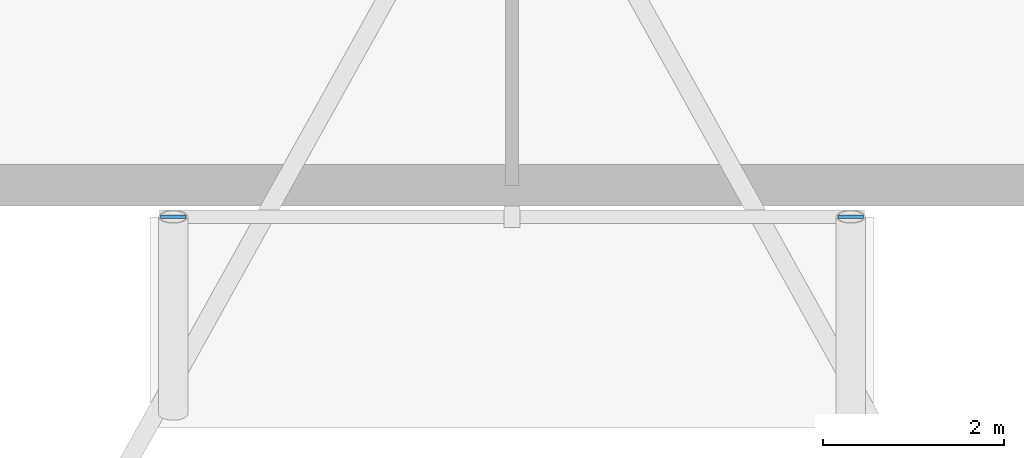
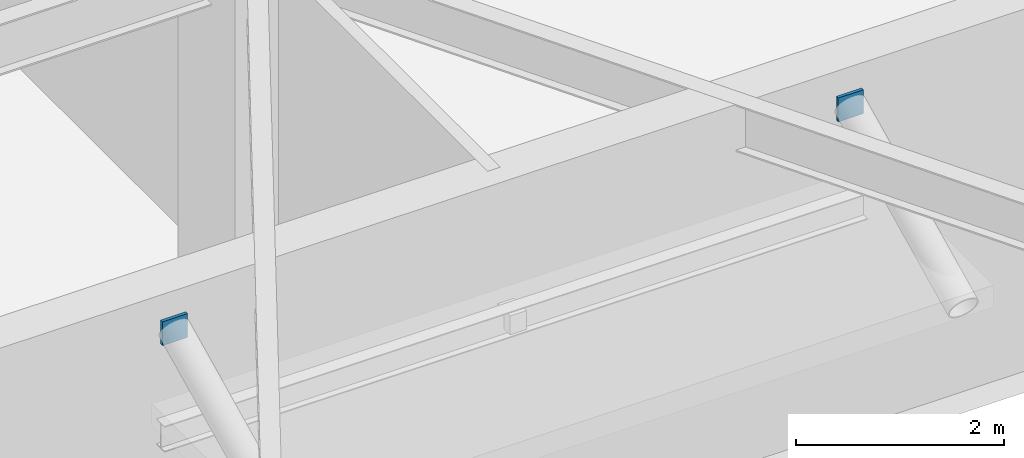
# One storey, part 6 of 19: 2 plates.
"""IFC4 building model written with IfcOpenShell, lengths in metres."""

from ifc_helpers import new_model, si_unit, direction, frame, origin, origin_2d, place, context, subcontext, project, spatial, rectangle, extrude, source, transform, mapped, material, layer, layer_set, type_object, element, save


model = new_model("IFC4")

# Units and contexts
model_context = context("Model", 3, precision=1e-05, world=origin(), true_north=direction((0.0, 1.0)))
body_context = subcontext(model_context, "Body", "Model", "MODEL_VIEW")
ifc_project = project(units=[si_unit("LENGTHUNIT", "METRE"), si_unit("AREAUNIT", "SQUARE_METRE"), si_unit("VOLUMEUNIT", "CUBIC_METRE"), si_unit("PLANEANGLEUNIT", "RADIAN"), si_unit("MASSUNIT", "GRAM", prefix="KILO")], contexts=[model_context])

# Site, building, storey
site_placement = place(None, origin())
site = spatial("IfcSite", under=ifc_project, at=site_placement, CompositionType="ELEMENT")
building_placement = place(site_placement, origin())
building = spatial("IfcBuilding", under=site, at=building_placement, Name="Liaohun Quay Tower", CompositionType="ELEMENT")
storey_placement = place(building_placement, frame((0.0, 0.0, 9.89990234375)))
storey = spatial("IfcBuildingStorey", under=building, at=storey_placement, Name="L03", CompositionType="ELEMENT", Elevation=9.89990234375)

# Plates
ifc_material = material(Name="Steel Q420D outrigger node gusset plate", Category="steel")
ifc_layer = layer(ifc_material, 0.0400390625, Name="Steel Q420D outrigger node gusset plate", Category="steel")
ifc_layer_set = layer_set([ifc_layer], Name="Steel Q420D outrigger node gusset plate")
plate_type = type_object("IfcPlateType", Name="PLT-GUS-OUT", PredefinedType="USERDEFINED", material=ifc_layer_set)
shared_shape = source(origin(), body_context, "Body", "SweptSolid", [
    extrude(rectangle(XDim=0.280029296875, YDim=0.035888671875, at=origin_2d()), origin(), (0.0, 0.0, 1.0), 0.280029296875),
])
for number, where, z_axis, x_axis, name in (
    (1, (56.25, 19.080078125, 3.76025390625), (0.0, 0.0, 1.0), (1.0, 0.0, 0.0), "L03 Terrace Canopy Tie Strut Anchor Gusset Plate 1"),
    (2, (63.75, 19.080078125, 3.76025390625), (0.0, 0.0, 1.0), (1.0, 0.0, 0.0), "L03 Terrace Canopy Tie Strut Anchor Gusset Plate 2"),
):
    element("IfcPlate", number, at=place(storey_placement, frame(where, z_axis=z_axis, x_axis=x_axis)), inside=storey, type_object=plate_type, Name=name, ObjectType="GUSSET PLATE", PredefinedType="USERDEFINED", context=body_context, shape_type="MappedRepresentation", body=[
        mapped(shared_shape, transform((0.0, 0.0, 0.0), x_axis=(1.0, 0.0, 0.0), y_axis=(0.0, 1.0, 0.0), z_axis=(0.0, 0.0, 1.0), scale=1.0)),
    ])

save(model, "model.ifc")
